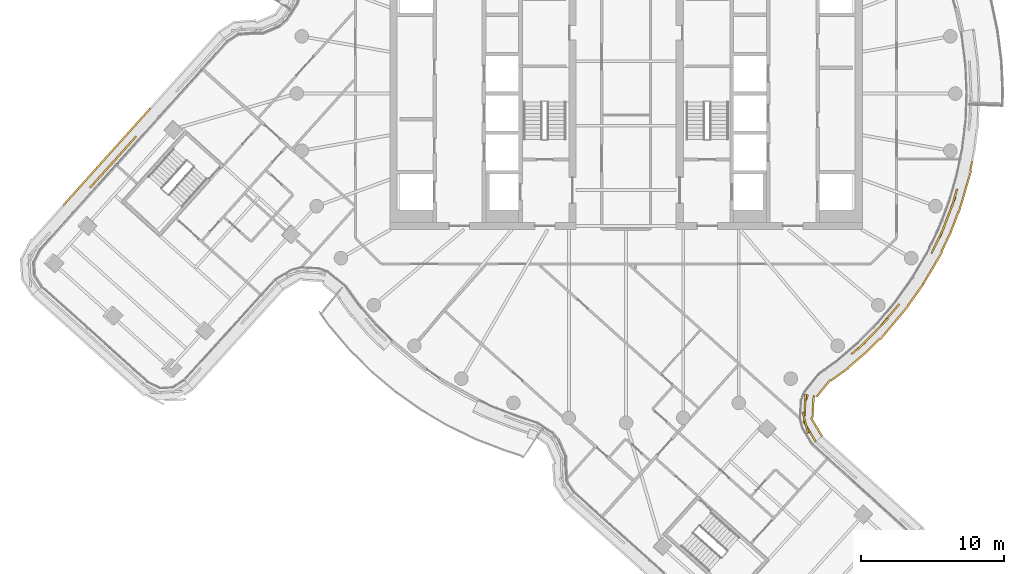
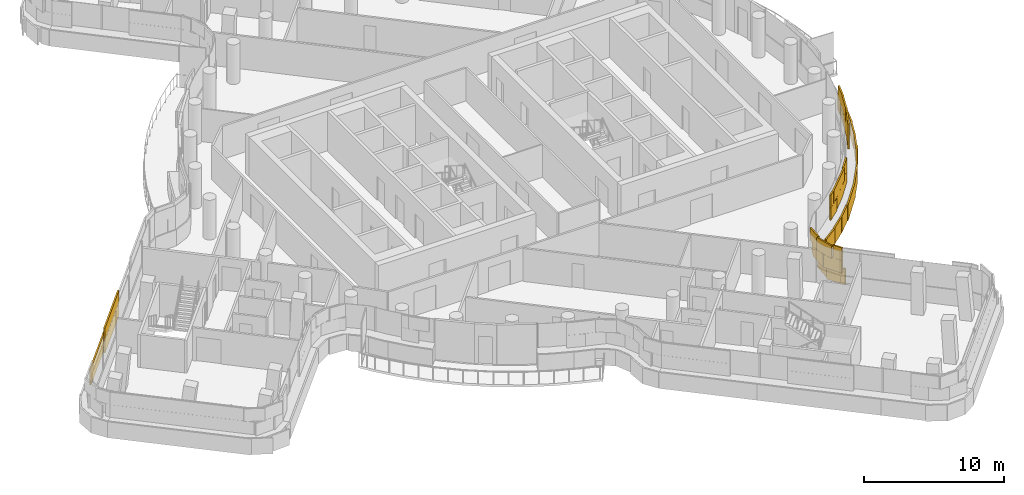
# One storey, part 26 of 31: 3 coverings.
"""IFC4 building model written with IfcOpenShell, lengths in metres."""

from ifc_helpers import new_model, si_unit, direction, frame, origin, origin_2d, place, context, subcontext, project, spatial, rectangle, extrude, material, layer, layer_set, type_object, element, save


model = new_model("IFC4")

# Units and contexts
model_context = context("Model", 3, precision=1e-05, world=origin(), true_north=direction((0.0, 1.0)))
body_context = subcontext(model_context, "Body", "Model", "MODEL_VIEW")
ifc_project = project(units=[si_unit("LENGTHUNIT", "METRE"), si_unit("AREAUNIT", "SQUARE_METRE"), si_unit("VOLUMEUNIT", "CUBIC_METRE"), si_unit("PLANEANGLEUNIT", "RADIAN"), si_unit("MASSUNIT", "GRAM", prefix="KILO")], contexts=[model_context])

# Site, building, storey
site_placement = place(None, origin())
site = spatial("IfcSite", under=ifc_project, at=site_placement, CompositionType="ELEMENT")
building_placement = place(site_placement, origin())
building = spatial("IfcBuilding", under=site, at=building_placement, Name="Tamarind Cross Interchange Tower", CompositionType="ELEMENT")
storey_placement = place(building_placement, frame((0.0, 0.0, 207.699951171875)))
storey = spatial("IfcBuildingStorey", under=building, at=storey_placement, Name="L52", CompositionType="ELEMENT", Elevation=207.699951171875)

# Coverings
ifc_material = material(Name="Terracotta", Category="masonry")
ifc_layer = layer(ifc_material, 0.1201171875)
ifc_layer_set = layer_set([ifc_layer], Name="Terracotta")
covering_type = type_object("IfcCoveringType", Name="Terracotta baguette screen unit", PredefinedType="MOLDING", material=ifc_layer_set)
covering_1_placement = place(storey_placement, origin())
element("IfcCovering", 1, at=covering_1_placement, inside=storey, type_object=covering_type, Name="SCR-L52-06-00", PredefinedType="MOLDING", context=body_context, shape_type="SweptSolid", body=[
    extrude(rectangle(XDim=1.510009765625, YDim=0.1201171875, at=origin_2d()), frame((12.854736328125, -23.6630859375, 1.40380859375), z_axis=(0.0, 0.0, 1.0), x_axis=(-0.51461492181, 0.857421414621, 0.0)), (0.0, 0.0, 1.0), 1.092041015625),
    extrude(rectangle(XDim=1.52001953125, YDim=0.1201171875, at=origin_2d()), frame((12.470703125, -22.25634765625, 1.40380859375), z_axis=(0.0, 0.0, 1.0), x_axis=(0.055933765269, 0.998434481527, 0.0)), (0.0, 0.0, 1.0), 1.092041015625),
    extrude(rectangle(XDim=0.510498046875, YDim=0.1201171875, at=origin_2d()), frame((12.6083984375, -21.274658203125, 1.40380859375), z_axis=(0.0, 0.0, 1.0), x_axis=(0.346862362223, 0.937916041911, 0.0)), (0.0, 0.0, 1.0), 1.092041015625),
    extrude(rectangle(XDim=1.309326171875, YDim=0.1201171875, at=origin_2d()), frame((16.241943359375, -17.776123046875, 1.40380859375), z_axis=(0.0, 0.0, 1.0), x_axis=(0.760295606781, 0.64957723968, 0.0)), (0.0, 0.0, 1.0), 1.092041015625),
    extrude(rectangle(XDim=1.52001953125, YDim=0.1201171875, at=origin_2d()), frame((17.23828125, -16.7939453125, 1.40380859375), z_axis=(0.0, 0.0, 1.0), x_axis=(0.704057148523, 0.710143317658, 0.0)), (0.0, 0.0, 1.0), 1.092041015625),
    extrude(rectangle(XDim=1.52001953125, YDim=0.1201171875, at=origin_2d()), frame((18.250732421875, -15.688720703125, 1.40380859375), z_axis=(0.0, 0.0, 1.0), x_axis=(0.643009266048, 0.765858396687, 0.0)), (0.0, 0.0, 1.0), 1.092041015625),
    extrude(rectangle(XDim=0.544189453125, YDim=0.1201171875, at=origin_2d()), frame((18.904541015625, -14.909912109375, 1.40380859375), z_axis=(0.0, 0.0, 1.0), x_axis=(0.643009266048, 0.765858396687, 0.0)), (0.0, 0.0, 1.0), 1.092041015625),
    extrude(rectangle(XDim=0.760009765625, YDim=0.1201171875, at=origin_2d()), frame((13.0478515625, -23.984619140625, 2.50390625), z_axis=(0.0, 0.0, 1.0), x_axis=(-0.51461492181, 0.857421414621, 0.0)), (0.0, 0.0, 1.0), 1.092041015625),
    extrude(rectangle(XDim=1.52001953125, YDim=0.1201171875, at=origin_2d()), frame((12.527587890625, -22.995849609375, 2.50390625), z_axis=(0.0, 0.0, 1.0), x_axis=(-0.239933891097, 0.970789229392, 0.0)), (0.0, 0.0, 1.0), 1.092041015625),
    extrude(rectangle(XDim=1.260498046875, YDim=0.1201171875, at=origin_2d()), frame((12.505615234375, -21.632080078125, 2.50390625), z_axis=(0.0, 0.0, 1.0), x_axis=(0.055933765269, 0.998434481527, 0.0)), (0.0, 0.0, 1.0), 1.092041015625),
    extrude(rectangle(XDim=0.559326171875, YDim=0.1201171875, at=origin_2d()), frame((15.956787109375, -18.019775390625, 2.50390625), z_axis=(0.0, 0.0, 1.0), x_axis=(0.760295606781, 0.64957723968, 0.0)), (0.0, 0.0, 1.0), 1.092041015625),
    extrude(rectangle(XDim=1.52001953125, YDim=0.1201171875, at=origin_2d()), frame((16.710205078125, -17.326416015625, 2.50390625), z_axis=(0.0, 0.0, 1.0), x_axis=(0.704057148523, 0.710143317658, 0.0)), (0.0, 0.0, 1.0), 1.092041015625),
    extrude(rectangle(XDim=1.52001953125, YDim=0.1201171875, at=origin_2d()), frame((17.766357421875, -16.26123046875, 2.50390625), z_axis=(0.0, 0.0, 1.0), x_axis=(0.704057148523, 0.710143317658, 0.0)), (0.0, 0.0, 1.0), 1.092041015625),
    extrude(rectangle(XDim=1.294189453125, YDim=0.1201171875, at=origin_2d()), frame((18.66357421875, -15.197021484375, 2.50390625), z_axis=(0.0, 0.0, 1.0), x_axis=(0.643009266048, 0.765858396687, 0.0)), (0.0, 0.0, 1.0), 1.092041015625),
    extrude(rectangle(XDim=1.510009765625, YDim=0.1201171875, at=origin_2d()), frame((13.30078125, -23.290771484375, 0.00390625), z_axis=(0.0, 0.0, 1.0), x_axis=(-0.51461492181, 0.857421414621, 0.0)), (0.0, 0.0, 1.0), 1.39208984375),
    extrude(rectangle(XDim=1.52001953125, YDim=0.1201171875, at=origin_2d()), frame((13.06787109375, -21.859130859375, 0.00390625), z_axis=(0.0, 0.0, 1.0), x_axis=(0.055933765269, 0.998434481527, 0.0)), (0.0, 0.0, 1.0), 1.39208984375),
    extrude(rectangle(XDim=1.52001953125, YDim=0.1201171875, at=origin_2d()), frame((13.79150390625, -20.58935546875, 0.00390625), z_axis=(0.0, 0.0, 1.0), x_axis=(0.628656553315, 0.777683057533, 0.0)), (0.0, 0.0, 1.0), 1.39208984375),
    extrude(rectangle(XDim=1.52001953125, YDim=0.1201171875, at=origin_2d()), frame((14.920654296875, -19.619140625, 0.00390625), z_axis=(0.0, 0.0, 1.0), x_axis=(0.810455063884, 0.585800810365, 0.0)), (0.0, 0.0, 1.0), 1.39208984375),
    extrude(rectangle(XDim=1.52001953125, YDim=0.1201171875, at=origin_2d()), frame((16.080322265625, -18.669189453125, 0.00390625), z_axis=(0.0, 0.0, 1.0), x_axis=(0.760295606781, 0.64957723968, 0.0)), (0.0, 0.0, 1.0), 1.39208984375),
    extrude(rectangle(XDim=1.52001953125, YDim=0.1201171875, at=origin_2d()), frame((17.18798828125, -17.65966796875, 0.00390625), z_axis=(0.0, 0.0, 1.0), x_axis=(0.704057148523, 0.710143317658, 0.0)), (0.0, 0.0, 1.0), 1.39208984375),
    extrude(rectangle(XDim=1.52001953125, YDim=0.1201171875, at=origin_2d()), frame((18.24169921875, -16.59228515625, 0.00390625), z_axis=(0.0, 0.0, 1.0), x_axis=(0.643009266048, 0.765858396687, 0.0)), (0.0, 0.0, 1.0), 1.39208984375),
    extrude(rectangle(XDim=1.52001953125, YDim=0.1201171875, at=origin_2d()), frame((19.2060546875, -15.443359375, 0.00390625), z_axis=(0.0, 0.0, 1.0), x_axis=(0.643009266048, 0.765858396687, 0.0)), (0.0, 0.0, 1.0), 1.39208984375),
    extrude(rectangle(XDim=1.52001953125, YDim=0.1201171875, at=origin_2d()), frame((20.10498046875, -14.243896484375, 0.00390625), z_axis=(0.0, 0.0, 1.0), x_axis=(0.577568978284, 0.816341886298, 0.0)), (0.0, 0.0, 1.0), 1.39208984375),
    extrude(rectangle(XDim=0.416015625, YDim=0.1201171875, at=origin_2d()), frame((20.652587890625, -13.47021484375, 0.00390625), z_axis=(0.0, 0.0, 1.0), x_axis=(0.577568978284, 0.816341886298, 0.0)), (0.0, 0.0, 1.0), 1.39208984375),
])
covering_2_placement = place(storey_placement, origin())
element("IfcCovering", 2, at=covering_2_placement, inside=storey, type_object=covering_type, Name="SCR-L52-06-01", PredefinedType="MOLDING", context=body_context, shape_type="SweptSolid", body=[
    extrude(rectangle(XDim=1.275634765625, YDim=0.1201171875, at=origin_2d()), frame((21.606689453125, -10.597900390625, 1.40380859375), z_axis=(0.0, 0.0, 1.0), x_axis=(0.435326231914, 0.900272776334, 0.0)), (0.0, 0.0, 1.0), 1.092041015625),
    extrude(rectangle(XDim=1.52001953125, YDim=0.1201171875, at=origin_2d()), frame((22.189453125, -9.3447265625, 1.40380859375), z_axis=(0.0, 0.0, 1.0), x_axis=(0.359495435512, 0.933146843667, 0.0)), (0.0, 0.0, 1.0), 1.092041015625),
    extrude(rectangle(XDim=1.52001953125, YDim=0.1201171875, at=origin_2d()), frame((22.728759765625, -7.945068359375, 1.40380859375), z_axis=(0.0, 0.0, 1.0), x_axis=(0.359495435512, 0.933146843667, 0.0)), (0.0, 0.0, 1.0), 1.092041015625),
    extrude(rectangle(XDim=0.58740234375, YDim=0.1201171875, at=origin_2d()), frame((23.03955078125, -6.954345703125, 1.40380859375), z_axis=(0.0, 0.0, 1.0), x_axis=(0.281208920763, 0.95964657186, 0.0)), (0.0, 0.0, 1.0), 1.092041015625),
    extrude(rectangle(XDim=0.525634765625, YDim=0.1201171875, at=origin_2d()), frame((21.443359375, -10.935546875, 2.50390625), z_axis=(0.0, 0.0, 1.0), x_axis=(0.435326231914, 0.900272776334, 0.0)), (0.0, 0.0, 1.0), 1.092041015625),
    extrude(rectangle(XDim=1.52001953125, YDim=0.1201171875, at=origin_2d()), frame((21.882080078125, -10.0283203125, 2.50390625), z_axis=(0.0, 0.0, 1.0), x_axis=(0.435326231914, 0.900272776334, 0.0)), (0.0, 0.0, 1.0), 1.092041015625),
    extrude(rectangle(XDim=1.52001953125, YDim=0.1201171875, at=origin_2d()), frame((22.459228515625, -8.644775390625, 2.50390625), z_axis=(0.0, 0.0, 1.0), x_axis=(0.359495435512, 0.933146843667, 0.0)), (0.0, 0.0, 1.0), 1.092041015625),
    extrude(rectangle(XDim=1.33740234375, YDim=0.1201171875, at=origin_2d()), frame((22.93408203125, -7.314208984375, 2.50390625), z_axis=(0.0, 0.0, 1.0), x_axis=(0.281208920763, 0.95964657186, 0.0)), (0.0, 0.0, 1.0), 1.092041015625),
    extrude(rectangle(XDim=1.10400390625, YDim=0.1201171875, at=origin_2d()), frame((21.044921875, -12.819580078125, 0.00390625), z_axis=(0.0, 0.0, 1.0), x_axis=(0.508183308752, 0.861248933065, 0.0)), (0.0, 0.0, 1.0), 1.39208984375),
    extrude(rectangle(XDim=1.52001953125, YDim=0.1201171875, at=origin_2d()), frame((21.701416015625, -11.706787109375, 0.00390625), z_axis=(0.0, 0.0, 1.0), x_axis=(0.508183308752, 0.861248933065, 0.0)), (0.0, 0.0, 1.0), 1.39208984375),
    extrude(rectangle(XDim=1.52001953125, YDim=0.1201171875, at=origin_2d()), frame((22.359619140625, -10.359130859375, 0.00390625), z_axis=(0.0, 0.0, 1.0), x_axis=(0.435326231914, 0.900272776334, 0.0)), (0.0, 0.0, 1.0), 1.39208984375),
    extrude(rectangle(XDim=1.52001953125, YDim=0.1201171875, at=origin_2d()), frame((22.9453125, -8.9794921875, 0.00390625), z_axis=(0.0, 0.0, 1.0), x_axis=(0.359495435512, 0.933146843667, 0.0)), (0.0, 0.0, 1.0), 1.39208984375),
    extrude(rectangle(XDim=1.52001953125, YDim=0.1201171875, at=origin_2d()), frame((23.45703125, -7.570556640625, 0.00390625), z_axis=(0.0, 0.0, 1.0), x_axis=(0.281208920763, 0.95964657186, 0.0)), (0.0, 0.0, 1.0), 1.39208984375),
    extrude(rectangle(XDim=1.52001953125, YDim=0.1201171875, at=origin_2d()), frame((23.87890625, -6.131103515625, 0.00390625), z_axis=(0.0, 0.0, 1.0), x_axis=(0.281208920763, 0.95964657186, 0.0)), (0.0, 0.0, 1.0), 1.39208984375),
    extrude(rectangle(XDim=0.6748046875, YDim=0.1201171875, at=origin_2d()), frame((24.110595703125, -5.079345703125, 0.00390625), z_axis=(0.0, 0.0, 1.0), x_axis=(0.201001463943, 0.9795909409, 0.0)), (0.0, 0.0, 1.0), 1.39208984375),
])
covering_3_placement = place(storey_placement, origin())
element("IfcCovering", 3, at=covering_3_placement, inside=storey, type_object=covering_type, Name="SCR-L52-11-01", PredefinedType="MOLDING", context=body_context, shape_type="SweptSolid", body=[
    extrude(rectangle(XDim=1.300537109375, YDim=0.1201171875, at=origin_2d()), frame((-34.65380859375, -3.475341796875, 1.40380859375), z_axis=(0.0, 0.0, 1.0), x_axis=(-0.668341634065, -0.743854461689, 0.0)), (0.0, 0.0, 1.0), 1.092041015625),
    extrude(rectangle(XDim=1.52001953125, YDim=0.1201171875, at=origin_2d()), frame((-35.58642578125, -4.51318359375, 1.40380859375), z_axis=(0.0, 0.0, 1.0), x_axis=(-0.668341634065, -0.743854461689, 0.0)), (0.0, 0.0, 1.0), 1.092041015625),
    extrude(rectangle(XDim=1.52001953125, YDim=0.1201171875, at=origin_2d()), frame((-36.5888671875, -5.62890625, 1.40380859375), z_axis=(0.0, 0.0, 1.0), x_axis=(-0.668341634065, -0.743854461689, 0.0)), (0.0, 0.0, 1.0), 1.092041015625),
    extrude(rectangle(XDim=0.530029296875, YDim=0.1201171875, at=origin_2d()), frame((-37.263916015625, -6.38037109375, 1.40380859375), z_axis=(0.0, 0.0, 1.0), x_axis=(-0.668341634065, -0.743854461689, 0.0)), (0.0, 0.0, 1.0), 1.092041015625),
    extrude(rectangle(XDim=0.550537109375, YDim=0.1201171875, at=origin_2d()), frame((-34.4033203125, -3.1962890625, 2.50390625), z_axis=(0.0, 0.0, 1.0), x_axis=(-0.668341634065, -0.743854461689, 0.0)), (0.0, 0.0, 1.0), 1.092041015625),
    extrude(rectangle(XDim=1.52001953125, YDim=0.1201171875, at=origin_2d()), frame((-35.085205078125, -3.955322265625, 2.50390625), z_axis=(0.0, 0.0, 1.0), x_axis=(-0.668341634065, -0.743854461689, 0.0)), (0.0, 0.0, 1.0), 1.092041015625),
    extrude(rectangle(XDim=1.52001953125, YDim=0.1201171875, at=origin_2d()), frame((-36.087646484375, -5.071044921875, 2.50390625), z_axis=(0.0, 0.0, 1.0), x_axis=(-0.668341634065, -0.743854461689, 0.0)), (0.0, 0.0, 1.0), 1.092041015625),
    extrude(rectangle(XDim=1.280029296875, YDim=0.1201171875, at=origin_2d()), frame((-37.013427734375, -6.101318359375, 2.50390625), z_axis=(0.0, 0.0, 1.0), x_axis=(-0.668341634065, -0.743854461689, 0.0)), (0.0, 0.0, 1.0), 1.092041015625),
    extrude(rectangle(XDim=0.3466796875, YDim=0.1201171875, at=origin_2d()), frame((-33.348876953125, -1.1640625, 0.00390625), z_axis=(0.0, 0.0, 1.0), x_axis=(-0.668341634065, -0.743854461689, 0.0)), (0.0, 0.0, 1.0), 1.39208984375),
    extrude(rectangle(XDim=1.52001953125, YDim=0.1201171875, at=origin_2d()), frame((-33.95947265625, -1.843505859375, 0.00390625), z_axis=(0.0, 0.0, 1.0), x_axis=(-0.668341634065, -0.743854461689, 0.0)), (0.0, 0.0, 1.0), 1.39208984375),
    extrude(rectangle(XDim=1.52001953125, YDim=0.1201171875, at=origin_2d()), frame((-34.9619140625, -2.959228515625, 0.00390625), z_axis=(0.0, 0.0, 1.0), x_axis=(-0.668341634065, -0.743854461689, 0.0)), (0.0, 0.0, 1.0), 1.39208984375),
    extrude(rectangle(XDim=1.52001953125, YDim=0.1201171875, at=origin_2d()), frame((-35.96435546875, -4.074951171875, 0.00390625), z_axis=(0.0, 0.0, 1.0), x_axis=(-0.668341634065, -0.743854461689, 0.0)), (0.0, 0.0, 1.0), 1.39208984375),
    extrude(rectangle(XDim=1.52001953125, YDim=0.1201171875, at=origin_2d()), frame((-36.967041015625, -5.190673828125, 0.00390625), z_axis=(0.0, 0.0, 1.0), x_axis=(-0.668341634065, -0.743854461689, 0.0)), (0.0, 0.0, 1.0), 1.39208984375),
    extrude(rectangle(XDim=1.52001953125, YDim=0.1201171875, at=origin_2d()), frame((-37.969482421875, -6.306640625, 0.00390625), z_axis=(0.0, 0.0, 1.0), x_axis=(-0.668341634065, -0.743854461689, 0.0)), (0.0, 0.0, 1.0), 1.39208984375),
    extrude(rectangle(XDim=1.252197265625, YDim=0.1201171875, at=origin_2d()), frame((-38.882568359375, -7.32275390625, 0.00390625), z_axis=(0.0, 0.0, 1.0), x_axis=(-0.668341634065, -0.743854461689, 0.0)), (0.0, 0.0, 1.0), 1.39208984375),
])

save(model, "model.ifc")
